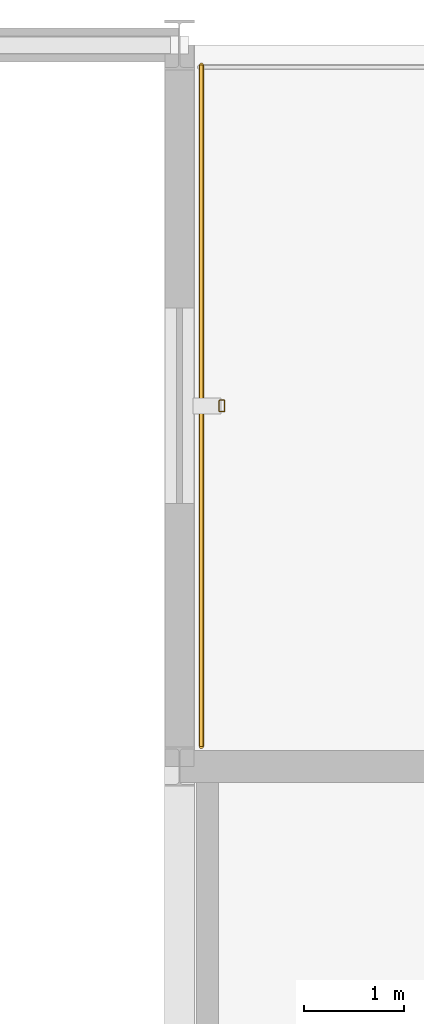
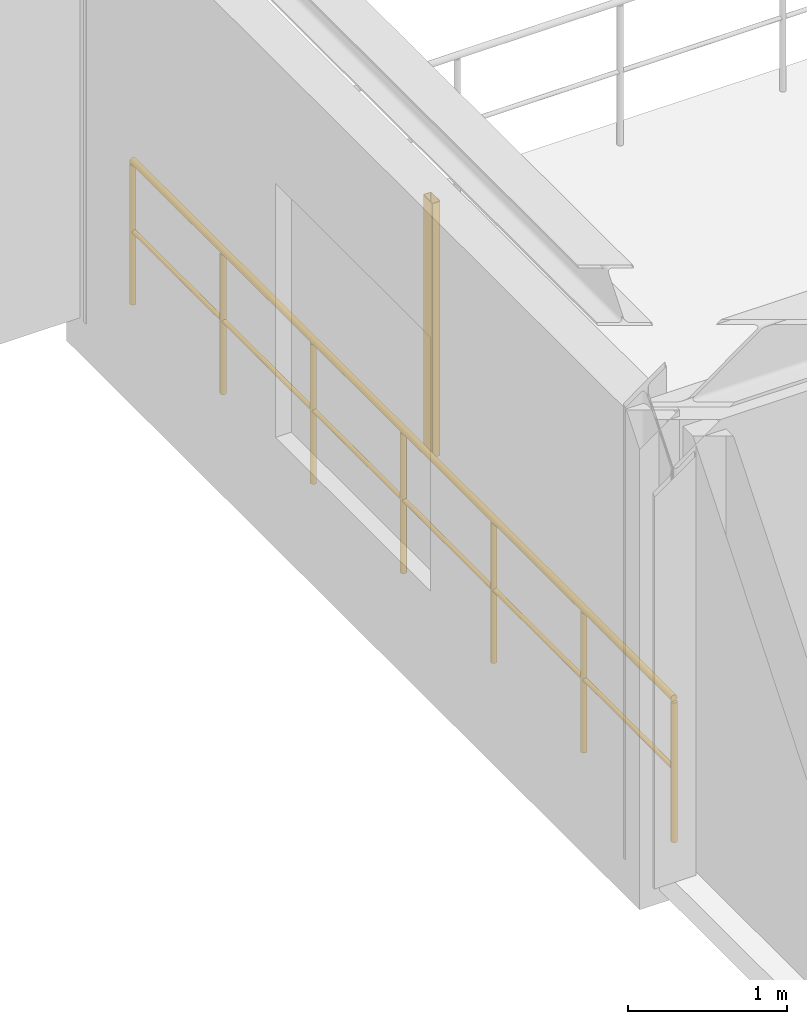
# One storey, part 107 of 109: 1 railing, 1 shading device.
"""IFC4 building model written with IfcOpenShell, lengths in metres."""

from ifc_helpers import new_model, si_unit, derived_unit, direction, frame, origin, origin_2d, place, context, subcontext, project, spatial, hollow_rectangle, circle, extrude, material, material_profile, profile_set, type_object, element, save


model = new_model("IFC4")

# Units and contexts
model_context = context("Model", 3, precision=1e-05, world=origin(), true_north=direction((0.0, 1.0)))
body_context = subcontext(model_context, "Body", "Model", "MODEL_VIEW")
ifc_project = project(units=[si_unit("LENGTHUNIT", "METRE"), si_unit("AREAUNIT", "SQUARE_METRE"), si_unit("VOLUMEUNIT", "CUBIC_METRE"), si_unit("PLANEANGLEUNIT", "RADIAN"), si_unit("MASSUNIT", "GRAM", prefix="KILO"), derived_unit("THERMALTRANSMITTANCEUNIT", [(si_unit("MASSUNIT", "GRAM", prefix="KILO"), 1), (si_unit("TIMEUNIT", "SECOND"), -3), (si_unit("THERMODYNAMICTEMPERATUREUNIT", "KELVIN"), -1)])], contexts=[model_context])

# Site, building, storey
site_placement = place(None, origin())
site = spatial("IfcSite", under=ifc_project, at=site_placement, CompositionType="ELEMENT")
building_placement = place(site_placement, origin())
building = spatial("IfcBuilding", under=site, at=building_placement, Name="Kharveza Railside Sports Centre", CompositionType="ELEMENT")
storey_placement = place(building_placement, frame((0.0, 0.0, 4.5)))
storey = spatial("IfcBuildingStorey", under=building, at=storey_placement, Name="L01", CompositionType="ELEMENT", Elevation=4.5)

# Railing
ifc_material_1 = material(Name="Steel S275JR", Category="steel")
railing_type = type_object("IfcRailingType", Name="RL-GD110", PredefinedType="GUARDRAIL", material=ifc_material_1)
railing_placement = place(storey_placement, frame((143.02001953125, 107.800048828125, 0.0)))
element("IfcRailing", 1, at=railing_placement, inside=storey, type_object=railing_type, Name="RL-TERR-L01-01", PredefinedType="GUARDRAIL", context=body_context, shape_type="SweptSolid", body=[
    extrude(circle(Radius=0.02392578125, at=origin_2d()), frame((0.0, 0.0, 1.09619140625), z_axis=(0.0, -1.0, 0.0), x_axis=(1.0, 0.0, 0.0)), (0.0, 0.0, 1.0), 6.800048828125),
    extrude(circle(Radius=0.01611328125, at=origin_2d()), frame((0.0, 0.0, 0.56005859375), z_axis=(0.0, -1.0, 0.0), x_axis=(1.0, 0.0, 0.0)), (0.0, 0.0, 1.0), 6.800048828125),
    extrude(circle(Radius=0.02099609375, at=origin_2d()), origin(), (0.0, 0.0, 1.0), 1.072021484375),
    extrude(circle(Radius=0.02099609375, at=origin_2d()), frame((0.0, -1.13330078125, 0.0)), (0.0, 0.0, 1.0), 1.072021484375),
    extrude(circle(Radius=0.02099609375, at=origin_2d()), frame((0.0, -2.2666015625, 0.0)), (0.0, 0.0, 1.0), 1.072021484375),
    extrude(circle(Radius=0.02099609375, at=origin_2d()), frame((0.0, -3.39990234375, 0.0)), (0.0, 0.0, 1.0), 1.072021484375),
    extrude(circle(Radius=0.02099609375, at=origin_2d()), frame((0.0, -4.533447265625, 0.0)), (0.0, 0.0, 1.0), 1.072021484375),
    extrude(circle(Radius=0.02099609375, at=origin_2d()), frame((0.0, -5.666748046875, 0.0)), (0.0, 0.0, 1.0), 1.072021484375),
    extrude(circle(Radius=0.02099609375, at=origin_2d()), frame((0.0, -6.800048828125, 0.0)), (0.0, 0.0, 1.0), 1.072021484375),
])

# Shading device
ifc_material_2 = material(Name="Anodised aluminium 6063-T6", Category="aluminium")
ifc_material_profile = material_profile(ifc_material_2, hollow_rectangle(XDim=0.06005859375, YDim=0.1201171875, WallThickness=0.0048828125, InnerFilletRadius=0.0048828125, OuterFilletRadius=0.010009765625, at=origin_2d()), Name="RHS 60x120x5.0")
ifc_profile_set = profile_set([ifc_material_profile], Name="Anodised aluminium 6063-T6")
shading_device_type = type_object("IfcShadingDeviceType", Name="SD-LV01", PredefinedType="JALOUSIE", material=ifc_profile_set)
shading_device_placement = place(storey_placement, frame((143.22509765625, 104.39990234375, 0.85009765625), z_axis=(0.0, 0.0, 1.0), x_axis=(1.0, 0.0, 0.0)))
element("IfcShadingDevice", 2, at=shading_device_placement, inside=storey, type_object=shading_device_type, Name="SD-FIN-049", PredefinedType="JALOUSIE", context=body_context, shape_type="SweptSolid", body=[
    extrude(hollow_rectangle(XDim=0.06005859375, YDim=0.1201171875, WallThickness=0.0048828125, InnerFilletRadius=0.0048828125, OuterFilletRadius=0.010009765625, at=origin_2d()), origin(), (0.0, 0.0, 1.0), 1.949951171875),
])

save(model, "model.ifc")
